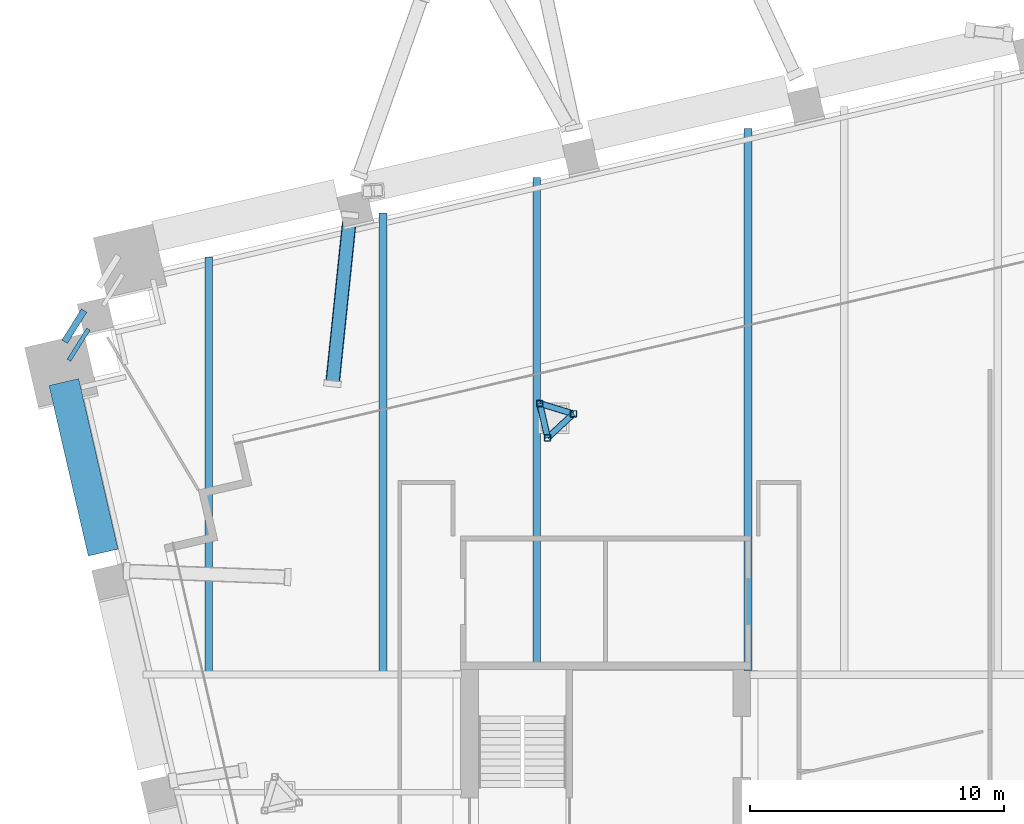
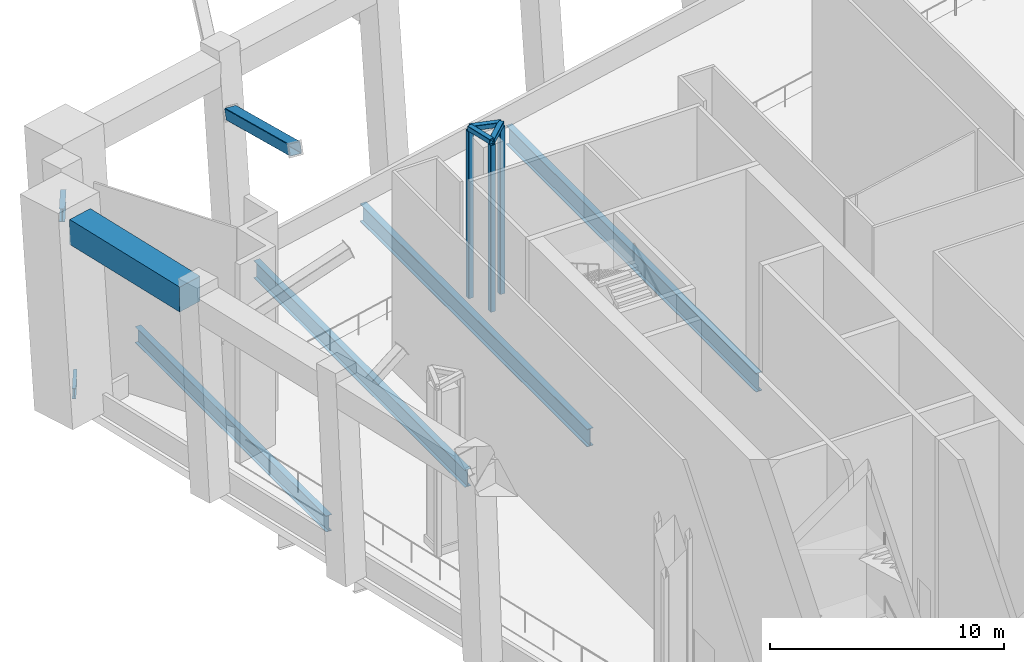
# One storey, part 7 of 25: 7 beams, 7 members.
"""IFC4 building model written with IfcOpenShell, lengths in metres."""

from ifc_helpers import new_model, si_unit, direction, frame, origin, origin_2d, place, context, subcontext, project, spatial, rectangle, hollow_rectangle, i_section, extrude, material, material_profile, profile_set, type_object, element, save


model = new_model("IFC4")

# Units and contexts
model_context = context("Model", 3, precision=1e-05, world=origin(), true_north=direction((0.0, 1.0)))
body_context = subcontext(model_context, "Body", "Model", "MODEL_VIEW")
ifc_project = project(units=[si_unit("LENGTHUNIT", "METRE"), si_unit("AREAUNIT", "SQUARE_METRE"), si_unit("VOLUMEUNIT", "CUBIC_METRE"), si_unit("PLANEANGLEUNIT", "RADIAN"), si_unit("MASSUNIT", "GRAM", prefix="KILO")], contexts=[model_context])

# Site, building, storey
site_placement = place(None, origin())
site = spatial("IfcSite", under=ifc_project, at=site_placement, CompositionType="ELEMENT")
building_placement = place(site_placement, origin())
building = spatial("IfcBuilding", under=site, at=building_placement, Name="Ogive Exchange Tower", CompositionType="ELEMENT")
storey_placement = place(building_placement, frame((0.0, 0.0, 226.199951171875)))
storey = spatial("IfcBuildingStorey", under=building, at=storey_placement, Name="L50", CompositionType="ELEMENT", Elevation=226.199951171875)

# Beams
ifc_material_1 = material(Name="Steel ASTM A992 Gr50", Category="steel")
ifc_material_profile_1 = material_profile(ifc_material_1, i_section(OverallWidth=0.1669921875, OverallDepth=0.535888671875, WebThickness=0.01025390625, FlangeThickness=0.0166015625, at=origin_2d()), Name="W530x85")
ifc_profile_set_1 = profile_set([ifc_material_profile_1], Name="Steel ASTM A992 Gr50")
beam_type_1 = type_object("IfcBeamType", Name="Belt truss bottom chord W530x85", PredefinedType="BEAM", material=ifc_profile_set_1)
beam_1_placement = place(storey_placement, frame((-36.343994140625, 38.837646484375, 0.400146484375), z_axis=(-0.529877740036, -0.848074041941, 0.0), x_axis=(0.848074041941, -0.529877740036, 0.0)))
element("IfcBeam", 1, at=beam_1_placement, inside=storey, type_object=beam_type_1, Name="Belt truss bottom chord 25", PredefinedType="BEAM", context=body_context, shape_type="SweptSolid", body=[
    extrude(i_section(OverallWidth=0.1669921875, OverallDepth=0.535888671875, WebThickness=0.01025390625, FlangeThickness=0.0166015625, at=origin_2d()), origin(), (0.0, 0.0, 1.0), 1.448486328125),
])
ifc_material_profile_2 = material_profile(ifc_material_1, i_section(OverallWidth=0.25390625, OverallDepth=0.677978515625, WebThickness=0.01171875, FlangeThickness=0.016357421875, at=origin_2d()), Name="W690x125")
ifc_profile_set_2 = profile_set([ifc_material_profile_2], Name="Steel ASTM A992 Gr50")
beam_type_2 = type_object("IfcBeamType", Name="Belt truss top chord W690x125", PredefinedType="BEAM", material=ifc_profile_set_2)
beam_2_placement = place(storey_placement, frame((-36.512451171875, 39.567138671875, 9.31103515625), z_axis=(-0.529953484787, -0.848026711821, 0.0), x_axis=(0.848026711821, -0.529953484787, 0.0)))
element("IfcBeam", 2, at=beam_2_placement, inside=storey, type_object=beam_type_2, Name="Belt truss top chord 25", PredefinedType="BEAM", context=body_context, shape_type="SweptSolid", body=[
    extrude(i_section(OverallWidth=0.25390625, OverallDepth=0.677978515625, WebThickness=0.01171875, FlangeThickness=0.016357421875, at=origin_2d()), origin(), (0.0, 0.0, 1.0), 1.448486328125),
])

# Member
ifc_material_2 = material(Name="Steel ASTM A1085 Gr A", Category="steel")
ifc_material_profile_3 = material_profile(ifc_material_2, hollow_rectangle(XDim=0.55908203125, YDim=0.55908203125, WallThickness=0.022216796875, InnerFilletRadius=0.022216796875, OuterFilletRadius=0.04443359375, at=origin_2d()), Name="HSS558.8x558.8x22.2")
ifc_profile_set_3 = profile_set([ifc_material_profile_3], Name="Steel ASTM A1085 Gr A")
member_type_1 = type_object("IfcMemberType", Name="Block-change strut HSS558.8x558.8x22.2", PredefinedType="STRUT", material=ifc_profile_set_3)
member_placement = place(storey_placement, frame((-26.056396484375, 43.32373046875, 7.6953125), z_axis=(-0.097140440089, -0.936410351884, 0.33719339819), x_axis=(0.994662354918, -0.10318333058, 0.0)))
element("IfcMember", 3, at=member_placement, inside=storey, type_object=member_type_1, Name="Block-change strut 25", PredefinedType="STRUT", context=body_context, shape_type="SweptSolid", body=[
    extrude(hollow_rectangle(XDim=0.55908203125, YDim=0.55908203125, WallThickness=0.022216796875, InnerFilletRadius=0.022216796875, OuterFilletRadius=0.04443359375, at=origin_2d()), origin(), (0.0, 0.0, 1.0), 7.0673828125),
])

# Beams
ifc_material_profile_4 = material_profile(ifc_material_1, i_section(OverallWidth=0.300048828125, OverallDepth=0.97998046875, WebThickness=0.0166015625, FlangeThickness=0.026123046875, at=origin_2d()), Name="W1000x249")
ifc_profile_set_4 = profile_set([ifc_material_profile_4], Name="Steel ASTM A992 Gr50")
beam_type_3 = type_object("IfcBeamType", Name="Floor beam W1000x249", PredefinedType="JOIST", material=ifc_profile_set_4)
beam_3_placement = place(storey_placement, frame((-10.39990234375, 25.39990234375, -0.93994140625), z_axis=(0.0, 1.0, 0.0), x_axis=(-1.0, 0.0, 0.0)))
element("IfcBeam", 4, at=beam_3_placement, inside=storey, type_object=beam_type_3, Name="Floor beam", PredefinedType="JOIST", context=body_context, shape_type="SweptSolid", body=[
    extrude(i_section(OverallWidth=0.300048828125, OverallDepth=0.97998046875, WebThickness=0.0166015625, FlangeThickness=0.026123046875, at=origin_2d()), origin(), (0.0, 0.0, 1.0), 21.326416015625),
])
ifc_material_profile_5 = material_profile(ifc_material_1, i_section(OverallWidth=0.2919921875, OverallDepth=0.8359375, WebThickness=0.013916015625, FlangeThickness=0.018798828125, at=origin_2d()), Name="W840x176")
ifc_profile_set_5 = profile_set([ifc_material_profile_5], Name="Steel ASTM A992 Gr50")
beam_type_4 = type_object("IfcBeamType", Name="Floor beam W840x176", PredefinedType="JOIST", material=ifc_profile_set_5)
beam_4_placement = place(storey_placement, frame((-31.60791015625, 25.37841796875, -0.867919921875), z_axis=(0.0, 1.0, 0.0), x_axis=(-1.0, 0.0, 0.0)))
element("IfcBeam", 5, at=beam_4_placement, inside=storey, type_object=beam_type_4, Name="Floor beam", PredefinedType="JOIST", context=body_context, shape_type="SweptSolid", body=[
    extrude(i_section(OverallWidth=0.2919921875, OverallDepth=0.8359375, WebThickness=0.013916015625, FlangeThickness=0.018798828125, at=origin_2d()), origin(), (0.0, 0.0, 1.0), 16.3017578125),
])
ifc_material_profile_6 = material_profile(ifc_material_1, i_section(OverallWidth=0.304931640625, OverallDepth=0.904052734375, WebThickness=0.01513671875, FlangeThickness=0.02001953125, at=origin_2d()), Name="W920x201")
ifc_profile_set_6 = profile_set([ifc_material_profile_6], Name="Steel ASTM A992 Gr50")
beam_type_5 = type_object("IfcBeamType", Name="Floor beam W920x201", PredefinedType="JOIST", material=ifc_profile_set_6)
beam_5_placement = place(storey_placement, frame((-24.760986328125, 25.37841796875, -0.90185546875), z_axis=(0.0, 1.0, 0.0), x_axis=(-1.0, 0.0, 0.0)))
element("IfcBeam", 6, at=beam_5_placement, inside=storey, type_object=beam_type_5, Name="Floor beam", PredefinedType="JOIST", context=body_context, shape_type="SweptSolid", body=[
    extrude(i_section(OverallWidth=0.304931640625, OverallDepth=0.904052734375, WebThickness=0.01513671875, FlangeThickness=0.02001953125, at=origin_2d()), origin(), (0.0, 0.0, 1.0), 18.032470703125),
])
ifc_material_profile_7 = material_profile(ifc_material_1, i_section(OverallWidth=0.306884765625, OverallDepth=0.927001953125, WebThickness=0.019287109375, FlangeThickness=0.031982421875, at=origin_2d()), Name="W920x289")
ifc_profile_set_7 = profile_set([ifc_material_profile_7], Name="Steel ASTM A992 Gr50")
beam_type_6 = type_object("IfcBeamType", Name="Floor beam W920x289", PredefinedType="JOIST", material=ifc_profile_set_7)
beam_6_placement = place(storey_placement, frame((-18.7138671875, 25.39990234375, -0.913330078125), z_axis=(0.0, 1.0, 0.0), x_axis=(-1.0, 0.0, 0.0)))
element("IfcBeam", 7, at=beam_6_placement, inside=storey, type_object=beam_type_6, Name="Floor beam", PredefinedType="JOIST", context=body_context, shape_type="SweptSolid", body=[
    extrude(i_section(OverallWidth=0.306884765625, OverallDepth=0.927001953125, WebThickness=0.019287109375, FlangeThickness=0.031982421875, at=origin_2d()), origin(), (0.0, 0.0, 1.0), 19.406982421875),
])
ifc_material_3 = material(Name="Precast concrete C70/85 (limestone faced)", Category="masonry")
ifc_material_profile_8 = material_profile(ifc_material_3, rectangle(XDim=1.199951171875, YDim=1.300048828125, at=origin_2d()), Name="1200 x 1300")
ifc_profile_set_8 = profile_set([ifc_material_profile_8], Name="Precast concrete C70/85 (limestone faced)")
beam_type_7 = type_object("IfcBeamType", Name="Precast portal header beam 1200 x 1300 C70/85", PredefinedType="BEAM", material=ifc_profile_set_8)
beam_7_placement = place(storey_placement, frame((-37.312744140625, 36.755615234375, 9.699951171875), z_axis=(0.224955341168, -0.974369075084, 0.0), x_axis=(0.974369075084, 0.224955341168, 0.0)))
element("IfcBeam", 8, at=beam_7_placement, inside=storey, type_object=beam_type_7, Name="Slot header beam 26", PredefinedType="BEAM", context=body_context, shape_type="SweptSolid", body=[
    extrude(rectangle(XDim=1.199951171875, YDim=1.300048828125, at=origin_2d()), origin(), (0.0, 0.0, 1.0), 6.884033203125),
])

# Members
ifc_material_profile_9 = material_profile(ifc_material_2, hollow_rectangle(XDim=0.25390625, YDim=0.25390625, WallThickness=0.0126953125, InnerFilletRadius=0.0126953125, OuterFilletRadius=0.025390625, at=origin_2d()), Name="HSS254x254x12.7")
ifc_profile_set_9 = profile_set([ifc_material_profile_9], Name="Steel ASTM A1085 Gr A")
member_type_2 = type_object("IfcMemberType", Name="Turbine cage mast HSS254x254x12.7", PredefinedType="POST", material=ifc_profile_set_9)
for number, where, z_axis, x_axis, name in (
    (9, (-18.281005859375, 34.560302734375, 0.0), (0.0, 0.0, 1.0), (1.0, 0.0, 0.0), "Turbine cage mast 07.1"),
    (10, (-17.267578125, 35.50537109375, 0.0), (0.0, 0.0, 1.0), (1.0, 0.0, 0.0), "Turbine cage mast 07.2"),
    (11, (-18.5927734375, 35.910400390625, 0.0), (0.0, 0.0, 1.0), (1.0, 0.0, 0.0), "Turbine cage mast 07.3"),
):
    element("IfcMember", number, at=place(storey_placement, frame(where, z_axis=z_axis, x_axis=x_axis)), inside=storey, type_object=member_type_2, Name=name, PredefinedType="POST", context=body_context, shape_type="SweptSolid", body=[
        extrude(hollow_rectangle(XDim=0.25390625, YDim=0.25390625, WallThickness=0.0126953125, InnerFilletRadius=0.0126953125, OuterFilletRadius=0.025390625, at=origin_2d()), origin(), (0.0, 0.0, 1.0), 8.696044921875),
    ])
ifc_material_profile_10 = material_profile(ifc_material_2, hollow_rectangle(XDim=0.25390625, YDim=0.25390625, WallThickness=0.0126953125, InnerFilletRadius=0.0126953125, OuterFilletRadius=0.025390625, at=origin_2d()), Name="HSS254x254x12.7")
ifc_profile_set_10 = profile_set([ifc_material_profile_10], Name="Steel ASTM A1085 Gr A")
member_type_3 = type_object("IfcMemberType", Name="Turbine cage ring member HSS254x254x12.7", PredefinedType="BRACE", material=ifc_profile_set_10)
for number, where, z_axis, x_axis, name in (
    (12, (-18.281005859375, 34.560302734375, 8.822998046875), (0.731342288184, 0.682010599268, 0.0), (-0.682010599268, 0.731342288184, 0.0), "Turbine cage ring 07.1"),
    (13, (-17.267578125, 35.50537109375, 8.822998046875), (-0.956329685181, 0.29229015249, 0.0), (-0.29229015249, -0.956329685181, 0.0), "Turbine cage ring 07.2"),
    (14, (-18.5927734375, 35.910400390625, 8.822998046875), (0.225001054267, -0.974358520042, 0.0), (0.974358520042, 0.225001054267, 0.0), "Turbine cage ring 07.3"),
):
    element("IfcMember", number, at=place(storey_placement, frame(where, z_axis=z_axis, x_axis=x_axis)), inside=storey, type_object=member_type_3, Name=name, PredefinedType="BRACE", context=body_context, shape_type="SweptSolid", body=[
        extrude(hollow_rectangle(XDim=0.25390625, YDim=0.25390625, WallThickness=0.0126953125, InnerFilletRadius=0.0126953125, OuterFilletRadius=0.025390625, at=origin_2d()), origin(), (0.0, 0.0, 1.0), 1.3857421875),
    ])

save(model, "model.ifc")
